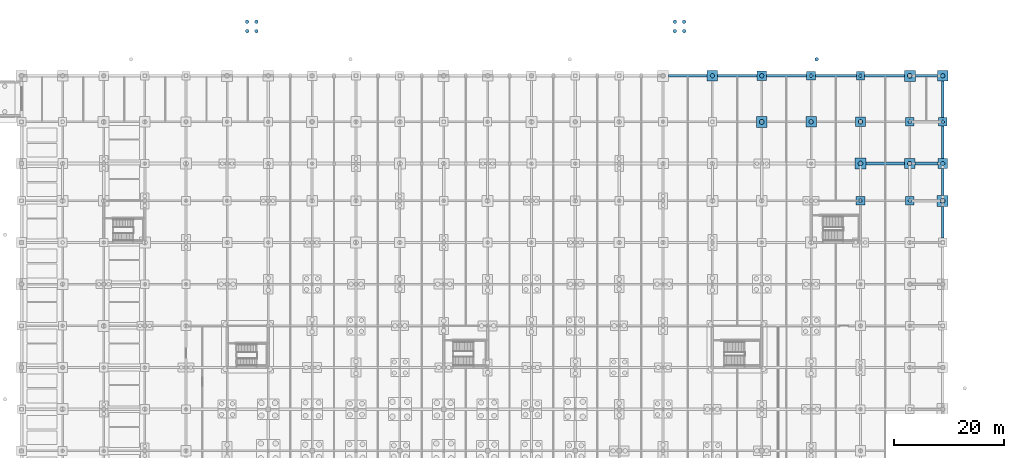
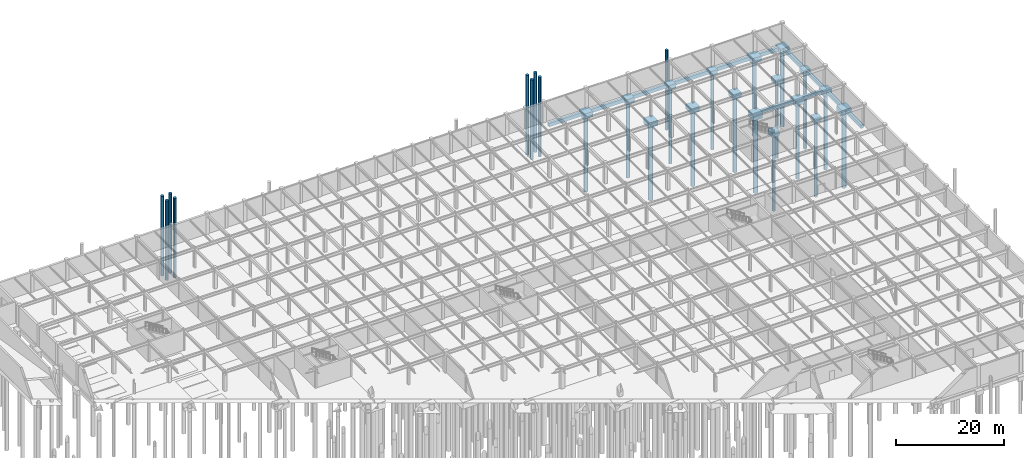
# One storey, part 8 of 53: 29 footings, 26 piles.
"""IFC4 building model written with IfcOpenShell, lengths in metres."""

from ifc_helpers import new_model, si_unit, direction, frame, origin, origin_2d, place, context, subcontext, project, spatial, rectangle, circle, extrude, material, material_profile, profile_set, type_object, element, save


model = new_model("IFC4")

# Units and contexts
model_context = context("Model", 3, precision=1e-05, world=origin(), true_north=direction((0.0, 1.0)))
body_context = subcontext(model_context, "Body", "Model", "MODEL_VIEW")
ifc_project = project(units=[si_unit("LENGTHUNIT", "METRE"), si_unit("AREAUNIT", "SQUARE_METRE"), si_unit("VOLUMEUNIT", "CUBIC_METRE"), si_unit("PLANEANGLEUNIT", "RADIAN"), si_unit("MASSUNIT", "GRAM", prefix="KILO")], contexts=[model_context])

# Site, building, storey
site_placement = place(None, origin())
site = spatial("IfcSite", under=ifc_project, at=site_placement, CompositionType="ELEMENT")
building_placement = place(site_placement, origin())
building = spatial("IfcBuilding", under=site, at=building_placement, Name="Shalkamar Park Central Library", CompositionType="ELEMENT")
storey_placement = place(building_placement, frame((0.0, 0.0, -4.800048828125)))
storey = spatial("IfcBuildingStorey", under=building, at=storey_placement, Name="B1", CompositionType="ELEMENT", Elevation=-4.800048828125)

# Piles
ifc_material = material(Name="Concrete C35/45", Category="concrete")
ifc_material_profile_1 = material_profile(ifc_material, circle(Radius=0.324951171875, at=origin_2d()), Name="PILE D650")
ifc_profile_set_1 = profile_set([ifc_material_profile_1], Name="Concrete C35/45")
pile_type_1 = type_object("IfcPileType", Name="Bored Concrete Pile D650", PredefinedType="BORED", material=ifc_profile_set_1)
for number, where, z_axis, x_axis, name in (
    (1, (264.0, 354.0, -0.800048828125), (0.0, 0.0, -1.0), (1.0, 0.0, 0.0), "Bored Pile FC-19-R-P01"),
    (2, (273.0, 331.199951171875, -0.800048828125), (0.0, 0.0, -1.0), (1.0, 0.0, 0.0), "Bored Pile FC-20-N-P01"),
    (3, (273.0, 354.0, -0.800048828125), (0.0, 0.0, -1.0), (1.0, 0.0, 0.0), "Bored Pile FC-20-R-P01"),
    (4, (282.0, 331.199951171875, -0.800048828125), (0.0, 0.0, -1.0), (1.0, 0.0, 0.0), "Bored Pile FC-21-N-P01"),
    (5, (282.0, 345.60009765625, -0.800048828125), (0.0, 0.0, -1.0), (1.0, 0.0, 0.0), "Bored Pile FC-21-Q-P01"),
    (6, (288.0, 345.60009765625, -0.800048828125), (0.0, 0.0, -1.0), (1.0, 0.0, 0.0), "Bored Pile FC-22-Q-P01"),
    (7, (265.0, 357.0, 4.650146484375), (0.0, 0.0, -1.0), (1.0, 0.0, 0.0), "Entrance Apron Pile 07"),
    (8, (161.14990234375, 362.14990234375, 3.920166015625), (0.0, 0.0, -1.0), (1.0, 0.0, 0.0), "Approach Ramp Pile 01-1"),
    (9, (162.85009765625, 362.14990234375, 3.920166015625), (0.0, 0.0, -1.0), (1.0, 0.0, 0.0), "Approach Ramp Pile 01-2"),
    (10, (162.85009765625, 363.85009765625, 3.920166015625), (0.0, 0.0, -1.0), (1.0, 0.0, 0.0), "Approach Ramp Pile 01-3"),
    (11, (161.14990234375, 363.85009765625, 3.920166015625), (0.0, 0.0, -1.0), (1.0, 0.0, 0.0), "Approach Ramp Pile 01-4"),
    (12, (239.14990234375, 362.14990234375, 3.920166015625), (0.0, 0.0, -1.0), (1.0, 0.0, 0.0), "Approach Ramp Pile 02-1"),
    (13, (240.85009765625, 362.14990234375, 3.920166015625), (0.0, 0.0, -1.0), (1.0, 0.0, 0.0), "Approach Ramp Pile 02-2"),
    (14, (240.85009765625, 363.85009765625, 3.920166015625), (0.0, 0.0, -1.0), (1.0, 0.0, 0.0), "Approach Ramp Pile 02-3"),
    (15, (239.14990234375, 363.85009765625, 3.920166015625), (0.0, 0.0, -1.0), (1.0, 0.0, 0.0), "Approach Ramp Pile 02-4"),
):
    element("IfcPile", number, at=place(storey_placement, frame(where, z_axis=z_axis, x_axis=x_axis)), inside=storey, type_object=pile_type_1, Name=name, PredefinedType="BORED", context=body_context, shape_type="SweptSolid", body=[
        extrude(circle(Radius=0.324951171875, at=origin_2d()), origin(), (0.0, 0.0, 1.0), 18.0),
    ])
ifc_material_profile_2 = material_profile(ifc_material, circle(Radius=0.39990234375, at=origin_2d()), Name="PILE D800")
ifc_profile_set_2 = profile_set([ifc_material_profile_2], Name="Concrete C35/45")
pile_type_2 = type_object("IfcPileType", Name="Bored Concrete Pile D800", PredefinedType="BORED", material=ifc_profile_set_2)
for number, where, z_axis, x_axis, name in (
    (16, (246.0, 354.0, -0.800048828125), (0.0, 0.0, -1.0), (1.0, 0.0, 0.0), "Bored Pile FC-17-R-P01"),
    (17, (255.0, 354.0, -0.800048828125), (0.0, 0.0, -1.0), (1.0, 0.0, 0.0), "Bored Pile FC-18-R-P01"),
    (18, (264.0, 345.60009765625, -0.800048828125), (0.0, 0.0, -1.0), (1.0, 0.0, 0.0), "Bored Pile FC-19-Q-P01"),
    (19, (273.0, 345.60009765625, -0.800048828125), (0.0, 0.0, -1.0), (1.0, 0.0, 0.0), "Bored Pile FC-20-Q-P01"),
    (20, (282.0, 338.0, -0.800048828125), (0.0, 0.0, -1.0), (1.0, 0.0, 0.0), "Bored Pile FC-21-P-P01"),
    (21, (288.0, 338.0, -0.800048828125), (0.0, 0.0, -1.0), (1.0, 0.0, 0.0), "Bored Pile FC-22-P-P01"),
    (22, (288.0, 354.0, -0.800048828125), (0.0, 0.0, -1.0), (1.0, 0.0, 0.0), "Bored Pile FC-22-R-P01"),
):
    element("IfcPile", number, at=place(storey_placement, frame(where, z_axis=z_axis, x_axis=x_axis)), inside=storey, type_object=pile_type_2, Name=name, PredefinedType="BORED", context=body_context, shape_type="SweptSolid", body=[
        extrude(circle(Radius=0.39990234375, at=origin_2d()), origin(), (0.0, 0.0, 1.0), 18.0),
    ])
ifc_material_profile_3 = material_profile(ifc_material, circle(Radius=0.449951171875, at=origin_2d()), Name="PILE D900")
ifc_profile_set_3 = profile_set([ifc_material_profile_3], Name="Concrete C35/45")
pile_type_3 = type_object("IfcPileType", Name="Bored Concrete Pile D900", PredefinedType="BORED", material=ifc_profile_set_3)
for number, where, z_axis, x_axis, name in (
    (23, (255.0, 345.60009765625, -0.800048828125), (0.0, 0.0, -1.0), (1.0, 0.0, 0.0), "Bored Pile FC-18-Q-P01"),
    (24, (273.0, 338.0, -0.800048828125), (0.0, 0.0, -1.0), (1.0, 0.0, 0.0), "Bored Pile FC-20-P-P01"),
    (25, (282.0, 354.0, -0.800048828125), (0.0, 0.0, -1.0), (1.0, 0.0, 0.0), "Bored Pile FC-21-R-P01"),
    (26, (288.0, 331.199951171875, -0.800048828125), (0.0, 0.0, -1.0), (1.0, 0.0, 0.0), "Bored Pile FC-22-N-P01"),
):
    element("IfcPile", number, at=place(storey_placement, frame(where, z_axis=z_axis, x_axis=x_axis)), inside=storey, type_object=pile_type_3, Name=name, PredefinedType="BORED", context=body_context, shape_type="SweptSolid", body=[
        extrude(circle(Radius=0.449951171875, at=origin_2d()), origin(), (0.0, 0.0, 1.0), 18.0),
    ])

# Footings
footing_type_1 = type_object("IfcFootingType", Name="Ground Tie Beam 500x750", PredefinedType="FOOTING_BEAM", material=ifc_material)
footing_1_placement = place(storey_placement, frame((277.52490234375, 338.0, -1.349853515625), z_axis=(0.0, 0.0, 1.0), x_axis=(1.0, 0.0, 0.0)))
element("IfcFooting", 27, at=footing_1_placement, inside=storey, type_object=footing_type_1, Name="Ground Tie Beam TB-X-20-P", PredefinedType="FOOTING_BEAM", context=body_context, shape_type="SweptSolid", body=[
    extrude(rectangle(XDim=7.050048828125, YDim=0.5, at=origin_2d()), origin(), (0.0, 0.0, 1.0), 0.75),
])
footing_2_placement = place(storey_placement, frame((285.03759765625, 338.0, -1.349853515625), z_axis=(0.0, 0.0, 1.0), x_axis=(1.0, 0.0, 0.0)))
element("IfcFooting", 28, at=footing_2_placement, inside=storey, type_object=footing_type_1, Name="Ground Tie Beam TB-X-21-P", PredefinedType="FOOTING_BEAM", context=body_context, shape_type="SweptSolid", body=[
    extrude(rectangle(XDim=4.175048828125, YDim=0.5, at=origin_2d()), origin(), (0.0, 0.0, 1.0), 0.75),
])
footing_type_2 = type_object("IfcFootingType", Name="Ground Tie Beam 500x800", PredefinedType="FOOTING_BEAM", material=ifc_material)
footing_3_placement = place(storey_placement, frame((241.52490234375, 354.0, -1.39990234375), z_axis=(0.0, 0.0, 1.0), x_axis=(1.0, 0.0, 0.0)))
element("IfcFooting", 29, at=footing_3_placement, inside=storey, type_object=footing_type_2, Name="Ground Tie Beam TB-X-16-R", PredefinedType="FOOTING_BEAM", context=body_context, shape_type="SweptSolid", body=[
    extrude(rectangle(XDim=7.050048828125, YDim=0.5, at=origin_2d()), origin(), (0.0, 0.0, 1.0), 0.800048828125),
])
footing_4_placement = place(storey_placement, frame((250.53759765625, 354.0, -1.39990234375), z_axis=(0.0, 0.0, 1.0), x_axis=(1.0, 0.0, 0.0)))
element("IfcFooting", 30, at=footing_4_placement, inside=storey, type_object=footing_type_2, Name="Ground Tie Beam TB-X-17-R", PredefinedType="FOOTING_BEAM", context=body_context, shape_type="SweptSolid", body=[
    extrude(rectangle(XDim=7.175048828125, YDim=0.5, at=origin_2d()), origin(), (0.0, 0.0, 1.0), 0.800048828125),
])
footing_5_placement = place(storey_placement, frame((259.53759765625, 354.0, -1.39990234375), z_axis=(0.0, 0.0, 1.0), x_axis=(1.0, 0.0, 0.0)))
element("IfcFooting", 31, at=footing_5_placement, inside=storey, type_object=footing_type_2, Name="Ground Tie Beam TB-X-18-R", PredefinedType="FOOTING_BEAM", context=body_context, shape_type="SweptSolid", body=[
    extrude(rectangle(XDim=7.324951171875, YDim=0.5, at=origin_2d()), origin(), (0.0, 0.0, 1.0), 0.800048828125),
])
footing_6_placement = place(storey_placement, frame((268.52490234375, 354.0, -1.39990234375), z_axis=(0.0, 0.0, 1.0), x_axis=(1.0, 0.0, 0.0)))
element("IfcFooting", 32, at=footing_6_placement, inside=storey, type_object=footing_type_2, Name="Ground Tie Beam TB-X-19-R", PredefinedType="FOOTING_BEAM", context=body_context, shape_type="SweptSolid", body=[
    extrude(rectangle(XDim=7.449951171875, YDim=0.5, at=origin_2d()), origin(), (0.0, 0.0, 1.0), 0.800048828125),
])
footing_7_placement = place(storey_placement, frame((277.375, 354.0, -1.39990234375), z_axis=(0.0, 0.0, 1.0), x_axis=(1.0, 0.0, 0.0)))
element("IfcFooting", 33, at=footing_7_placement, inside=storey, type_object=footing_type_2, Name="Ground Tie Beam TB-X-20-R", PredefinedType="FOOTING_BEAM", context=body_context, shape_type="SweptSolid", body=[
    extrude(rectangle(XDim=7.25, YDim=0.5, at=origin_2d()), origin(), (0.0, 0.0, 1.0), 0.800048828125),
])
footing_8_placement = place(storey_placement, frame((285.02490234375, 354.0, -1.39990234375), z_axis=(0.0, 0.0, 1.0), x_axis=(1.0, 0.0, 0.0)))
element("IfcFooting", 34, at=footing_8_placement, inside=storey, type_object=footing_type_2, Name="Ground Tie Beam TB-X-21-R", PredefinedType="FOOTING_BEAM", context=body_context, shape_type="SweptSolid", body=[
    extrude(rectangle(XDim=4.050048828125, YDim=0.5, at=origin_2d()), origin(), (0.0, 0.0, 1.0), 0.800048828125),
])
footing_9_placement = place(storey_placement, frame((288.0, 327.300048828125, -1.39990234375), z_axis=(0.0, 0.0, 1.0), x_axis=(0.0, 1.0, 0.0)))
element("IfcFooting", 35, at=footing_9_placement, inside=storey, type_object=footing_type_2, Name="Ground Tie Beam TB-Y-22-M", PredefinedType="FOOTING_BEAM", context=body_context, shape_type="SweptSolid", body=[
    extrude(rectangle(XDim=5.800048828125, YDim=0.5, at=origin_2d()), origin(), (0.0, 0.0, 1.0), 0.800048828125),
])
footing_10_placement = place(storey_placement, frame((288.0, 334.66259765625, -1.39990234375), z_axis=(0.0, 0.0, 1.0), x_axis=(0.0, 1.0, 0.0)))
element("IfcFooting", 36, at=footing_10_placement, inside=storey, type_object=footing_type_2, Name="Ground Tie Beam TB-Y-22-N", PredefinedType="FOOTING_BEAM", context=body_context, shape_type="SweptSolid", body=[
    extrude(rectangle(XDim=4.925048828125, YDim=0.5, at=origin_2d()), origin(), (0.0, 0.0, 1.0), 0.800048828125),
])
footing_11_placement = place(storey_placement, frame((288.0, 341.862548828125, -1.39990234375), z_axis=(0.0, 0.0, 1.0), x_axis=(0.0, 1.0, 0.0)))
element("IfcFooting", 37, at=footing_11_placement, inside=storey, type_object=footing_type_2, Name="Ground Tie Beam TB-Y-22-P", PredefinedType="FOOTING_BEAM", context=body_context, shape_type="SweptSolid", body=[
    extrude(rectangle(XDim=5.97509765625, YDim=0.5, at=origin_2d()), origin(), (0.0, 0.0, 1.0), 0.800048828125),
])
footing_12_placement = place(storey_placement, frame((288.0, 349.699951171875, -1.39990234375), z_axis=(0.0, 0.0, 1.0), x_axis=(0.0, 1.0, 0.0)))
element("IfcFooting", 38, at=footing_12_placement, inside=storey, type_object=footing_type_2, Name="Ground Tie Beam TB-Y-22-Q", PredefinedType="FOOTING_BEAM", context=body_context, shape_type="SweptSolid", body=[
    extrude(rectangle(XDim=6.699951171875, YDim=0.5, at=origin_2d()), origin(), (0.0, 0.0, 1.0), 0.800048828125),
])
footing_type_3 = type_object("IfcFootingType", Name="Reinforced Concrete Pile Cap 150x150x100", PredefinedType="PILE_CAP", material=ifc_material)
for number, where, z_axis, x_axis, name in (
    (39, (273.0, 354.0, -1.599853515625), (0.0, 0.0, 1.0), (1.0, 0.0, 0.0), "Pile Cap FC-09"),
    (40, (282.0, 331.199951171875, -1.599853515625), (0.0, 0.0, 1.0), (1.0, 0.0, 0.0), "Pile Cap FC-09"),
    (41, (288.0, 345.60009765625, -1.599853515625), (0.0, 0.0, 1.0), (1.0, 0.0, 0.0), "Pile Cap FC-09"),
):
    element("IfcFooting", number, at=place(storey_placement, frame(where, z_axis=z_axis, x_axis=x_axis)), inside=storey, type_object=footing_type_3, Name=name, PredefinedType="PILE_CAP", context=body_context, shape_type="SweptSolid", body=[
        extrude(rectangle(XDim=1.5, YDim=1.5, at=origin_2d()), origin(), (0.0, 0.0, 1.0), 1.0),
    ])
footing_type_4 = type_object("IfcFootingType", Name="Reinforced Concrete Pile Cap 160x160x105", PredefinedType="PILE_CAP", material=ifc_material)
for number, where, z_axis, x_axis, name in (
    (42, (264.0, 354.0, -1.64990234375), (0.0, 0.0, 1.0), (1.0, 0.0, 0.0), "Pile Cap FC-11"),
    (43, (273.0, 331.199951171875, -1.64990234375), (0.0, 0.0, 1.0), (1.0, 0.0, 0.0), "Pile Cap FC-11"),
    (44, (282.0, 345.60009765625, -1.64990234375), (0.0, 0.0, 1.0), (1.0, 0.0, 0.0), "Pile Cap FC-11"),
):
    element("IfcFooting", number, at=place(storey_placement, frame(where, z_axis=z_axis, x_axis=x_axis)), inside=storey, type_object=footing_type_4, Name=name, PredefinedType="PILE_CAP", context=body_context, shape_type="SweptSolid", body=[
        extrude(rectangle(XDim=1.60009765625, YDim=1.60009765625, at=origin_2d()), origin(), (0.0, 0.0, 1.0), 1.050048828125),
    ])
footing_type_5 = type_object("IfcFootingType", Name="Reinforced Concrete Pile Cap 175x175x110", PredefinedType="PILE_CAP", material=ifc_material)
for number, where, z_axis, x_axis, name in (
    (45, (255.0, 354.0, -1.699951171875), (0.0, 0.0, 1.0), (1.0, 0.0, 0.0), "Pile Cap FC-08"),
    (46, (273.0, 345.60009765625, -1.699951171875), (0.0, 0.0, 1.0), (1.0, 0.0, 0.0), "Pile Cap FC-08"),
    (47, (288.0, 338.0, -1.699951171875), (0.0, 0.0, 1.0), (1.0, 0.0, 0.0), "Pile Cap FC-08"),
):
    element("IfcFooting", number, at=place(storey_placement, frame(where, z_axis=z_axis, x_axis=x_axis)), inside=storey, type_object=footing_type_5, Name=name, PredefinedType="PILE_CAP", context=body_context, shape_type="SweptSolid", body=[
        extrude(rectangle(XDim=1.75, YDim=1.75, at=origin_2d()), origin(), (0.0, 0.0, 1.0), 1.10009765625),
    ])
footing_type_6 = type_object("IfcFootingType", Name="Reinforced Concrete Pile Cap 190x190x115", PredefinedType="PILE_CAP", material=ifc_material)
for number, where, z_axis, x_axis, name in (
    (48, (246.0, 354.0, -1.75), (0.0, 0.0, 1.0), (1.0, 0.0, 0.0), "Pile Cap FC-10"),
    (49, (264.0, 345.60009765625, -1.75), (0.0, 0.0, 1.0), (1.0, 0.0, 0.0), "Pile Cap FC-10"),
    (50, (282.0, 338.0, -1.75), (0.0, 0.0, 1.0), (1.0, 0.0, 0.0), "Pile Cap FC-10"),
    (51, (288.0, 354.0, -1.75), (0.0, 0.0, 1.0), (1.0, 0.0, 0.0), "Pile Cap FC-10"),
):
    element("IfcFooting", number, at=place(storey_placement, frame(where, z_axis=z_axis, x_axis=x_axis)), inside=storey, type_object=footing_type_6, Name=name, PredefinedType="PILE_CAP", context=body_context, shape_type="SweptSolid", body=[
        extrude(rectangle(XDim=1.89990234375, YDim=1.89990234375, at=origin_2d()), origin(), (0.0, 0.0, 1.0), 1.14990234375),
    ])
footing_type_7 = type_object("IfcFootingType", Name="Reinforced Concrete Pile Cap 200x200x120", PredefinedType="PILE_CAP", material=ifc_material)
for number, where, z_axis, x_axis, name in (
    (52, (255.0, 345.60009765625, -1.7998046875), (0.0, 0.0, 1.0), (1.0, 0.0, 0.0), "Pile Cap FC-07"),
    (53, (273.0, 338.0, -1.7998046875), (0.0, 0.0, 1.0), (1.0, 0.0, 0.0), "Pile Cap FC-07"),
    (54, (282.0, 354.0, -1.7998046875), (0.0, 0.0, 1.0), (1.0, 0.0, 0.0), "Pile Cap FC-07"),
    (55, (288.0, 331.199951171875, -1.7998046875), (0.0, 0.0, 1.0), (1.0, 0.0, 0.0), "Pile Cap FC-07"),
):
    element("IfcFooting", number, at=place(storey_placement, frame(where, z_axis=z_axis, x_axis=x_axis)), inside=storey, type_object=footing_type_7, Name=name, PredefinedType="PILE_CAP", context=body_context, shape_type="SweptSolid", body=[
        extrude(rectangle(XDim=2.0, YDim=2.0, at=origin_2d()), origin(), (0.0, 0.0, 1.0), 1.199951171875),
    ])

save(model, "model.ifc")
